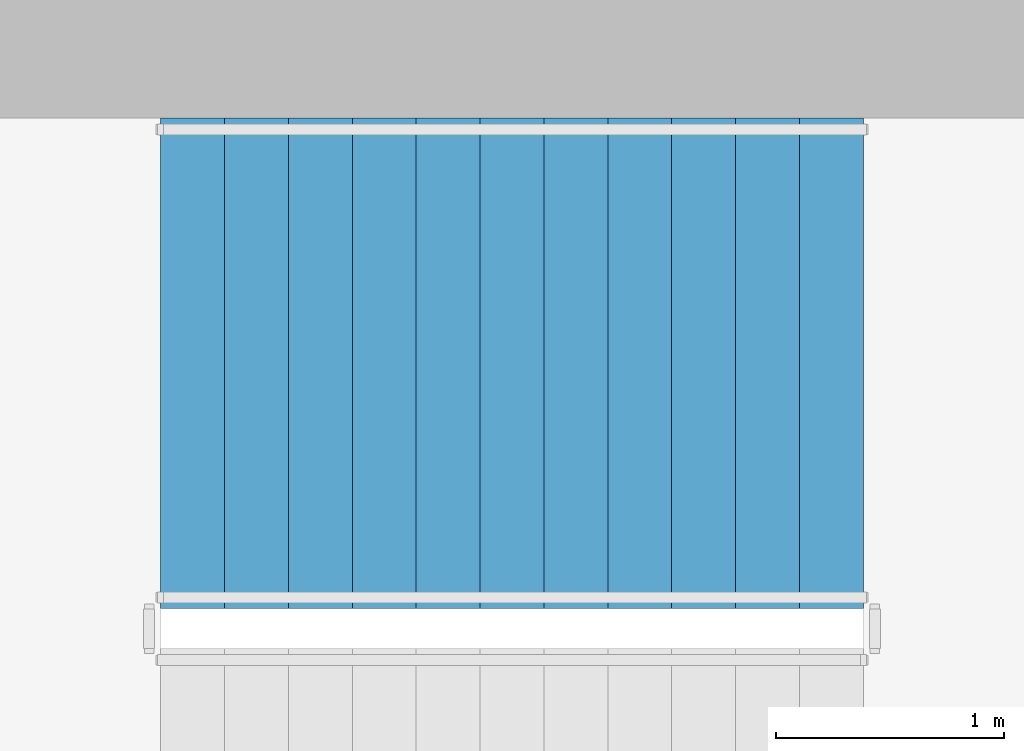
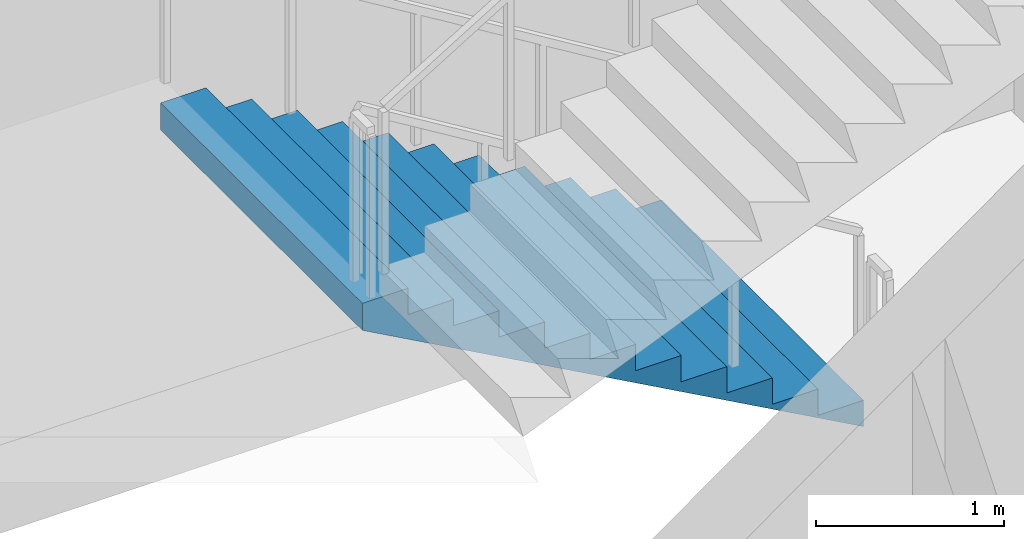
# One storey, part 10 of 15: 1 stair flight, 1 element without a shape of its own.
"""IFC4 building model written with IfcOpenShell, lengths in metres."""

from ifc_helpers import new_model, si_unit, direction, frame, origin, place, context, subcontext, project, spatial, triangles, material, type_object, element, aggregate, save


model = new_model("IFC4")

# Units and contexts
model_context = context("Model", 3, precision=1e-05, world=origin(), true_north=direction((0.0, 1.0)))
body_context = subcontext(model_context, "Body", "Model", "MODEL_VIEW")
ifc_project = project(units=[si_unit("LENGTHUNIT", "METRE"), si_unit("AREAUNIT", "SQUARE_METRE"), si_unit("VOLUMEUNIT", "CUBIC_METRE"), si_unit("PLANEANGLEUNIT", "RADIAN"), si_unit("MASSUNIT", "GRAM", prefix="KILO")], contexts=[model_context])

# Site, building, storey
site_placement = place(None, origin())
site = spatial("IfcSite", under=ifc_project, at=site_placement, CompositionType="ELEMENT")
building_placement = place(site_placement, origin())
building = spatial("IfcBuilding", under=site, at=building_placement, Name="Cypress Arch Tower", CompositionType="ELEMENT")
storey_placement = place(building_placement, frame((0.0, 0.0, 321.300048828125)))
storey = spatial("IfcBuildingStorey", under=building, at=storey_placement, Name="L73", CompositionType="ELEMENT", Elevation=321.300048828125)

# Stair, stair flight
ifc_material_1 = material(Name="Concrete C40/50", Category="concrete")
stair_type = type_object("IfcStairType", Name="Exit stair ES1708-215", PredefinedType="HALF_TURN_STAIR", material=ifc_material_1)
stair_placement = place(storey_placement, origin())
stair = element("IfcStair", 1, at=stair_placement, inside=storey, type_object=stair_type, Name="L73 Exit stair B", PredefinedType="HALF_TURN_STAIR")
ifc_material_2 = material(Name="Concrete C40/50", Category="concrete")
stair_flight_type = type_object("IfcStairFlightType", Name="Exit stair flight ES1708-215", PredefinedType="STRAIGHT", material=ifc_material_2)
stair_flight_placement = place(storey_placement, frame((-22.27490234375, 13.72509765625, 0.0), z_axis=(0.0, 0.0, 1.0), x_axis=(-1.0, 0.0, 0.0)))
stair_flight = element("IfcStairFlight", 2, at=stair_flight_placement, type_object=stair_flight_type, Name="B flight 1", NumberOfRisers=12, NumberOfTreads=11, PredefinedType="STRAIGHT", RiserHeight=0.170833333, TreadLength=0.28, context=body_context, shape_type="Tessellation", body=[
    triangles([(0.0, -1.074951171875, 0.0), (0.000244140625, -1.074951171875, 0.01904296875), (0.000244140625, -1.074951171875, 0.0380859375), (0.00048828125, -1.074951171875, 0.056884765625), (0.00048828125, -1.074951171875, 0.075927734375), (0.00048828125, -1.074951171875, 0.094970703125), (0.00048828125, -1.074951171875, 0.114013671875), (0.000244140625, -1.074951171875, 0.1328125), (0.000244140625, -1.074951171875, 0.15185546875), (0.0, -1.074951171875, 0.1708984375), (0.280029296875, -1.074951171875, 0.1708984375), (0.280029296875, -1.074951171875, 0.341552734375), (0.56005859375, -1.074951171875, 0.341552734375), (0.56005859375, -1.074951171875, 0.512451171875), (0.840087890625, -1.074951171875, 0.512451171875), (0.840087890625, -1.074951171875, 0.683349609375), (1.1201171875, -1.074951171875, 0.683349609375), (1.1201171875, -1.074951171875, 0.854248046875), (1.39990234375, -1.074951171875, 0.854248046875), (1.39990234375, -1.074951171875, 1.02490234375), (1.679931640625, -1.074951171875, 1.02490234375), (1.679931640625, -1.074951171875, 1.19580078125), (1.9599609375, -1.074951171875, 1.19580078125), (1.9599609375, -1.074951171875, 1.36669921875), (2.239990234375, -1.074951171875, 1.36669921875), (2.239990234375, -1.074951171875, 1.53759765625), (2.52001953125, -1.074951171875, 1.53759765625), (2.52001953125, -1.074951171875, 1.708251953125), (2.800048828125, -1.074951171875, 1.708251953125), (2.800048828125, -1.074951171875, 1.879150390625), (3.080078125, -1.074951171875, 1.879150390625), (3.079833984375, -1.074951171875, 1.859619140625), (3.079833984375, -1.074951171875, 1.840087890625), (3.07958984375, -1.074951171875, 1.820556640625), (3.07958984375, -1.074951171875, 1.801025390625), (3.07958984375, -1.074951171875, 1.78173828125), (3.07958984375, -1.074951171875, 1.76220703125), (3.079833984375, -1.074951171875, 1.74267578125), (3.079833984375, -1.074951171875, 1.72314453125), (3.080078125, -1.074951171875, 1.70361328125), (3.080078125, 1.074951171875, 1.70361328125), (3.079833984375, 1.074951171875, 1.72314453125), (3.079833984375, 1.074951171875, 1.74267578125), (3.07958984375, 1.074951171875, 1.76220703125), (3.07958984375, 1.074951171875, 1.78173828125), (3.07958984375, 1.074951171875, 1.801025390625), (3.07958984375, 1.074951171875, 1.820556640625), (3.079833984375, 1.074951171875, 1.840087890625), (3.079833984375, 1.074951171875, 1.859619140625), (3.080078125, 1.074951171875, 1.879150390625), (2.800048828125, 1.074951171875, 1.879150390625), (2.800048828125, 1.074951171875, 1.708251953125), (2.52001953125, 1.074951171875, 1.708251953125), (2.52001953125, 1.074951171875, 1.53759765625), (2.239990234375, 1.074951171875, 1.53759765625), (2.239990234375, 1.074951171875, 1.36669921875), (1.9599609375, 1.074951171875, 1.36669921875), (1.9599609375, 1.074951171875, 1.19580078125), (1.679931640625, 1.074951171875, 1.19580078125), (1.679931640625, 1.074951171875, 1.02490234375), (1.39990234375, 1.074951171875, 1.02490234375), (1.39990234375, 1.074951171875, 0.854248046875), (1.1201171875, 1.074951171875, 0.854248046875), (1.1201171875, 1.074951171875, 0.683349609375), (0.840087890625, 1.074951171875, 0.683349609375), (0.840087890625, 1.074951171875, 0.512451171875), (0.56005859375, 1.074951171875, 0.512451171875), (0.56005859375, 1.074951171875, 0.341552734375), (0.280029296875, 1.074951171875, 0.341552734375), (0.280029296875, 1.074951171875, 0.1708984375), (0.0, 1.074951171875, 0.1708984375), (0.000244140625, 1.074951171875, 0.15185546875), (0.000244140625, 1.074951171875, 0.1328125), (0.00048828125, 1.074951171875, 0.114013671875), (0.00048828125, 1.074951171875, 0.094970703125), (0.00048828125, 1.074951171875, 0.075927734375), (0.00048828125, 1.074951171875, 0.056884765625), (0.000244140625, 1.074951171875, 0.0380859375), (0.000244140625, 1.074951171875, 0.01904296875), (0.0, 1.074951171875, 0.0)], [[40, 39, 30], [39, 38, 30], [38, 37, 30], [37, 36, 30], [36, 35, 30], [35, 34, 30], [34, 33, 30], [33, 32, 30], [32, 31, 30], [19, 18, 17], [27, 26, 25], [25, 24, 23], [23, 22, 21], [17, 16, 15], [15, 14, 13], [10, 9, 11], [9, 8, 11], [8, 7, 11], [7, 6, 11], [6, 5, 11], [5, 4, 11], [4, 3, 11], [3, 2, 11], [2, 1, 11], [29, 28, 27], [21, 20, 19], [13, 12, 11], [40, 30, 29], [40, 29, 27], [40, 27, 25], [40, 25, 23], [40, 23, 21], [40, 21, 19], [40, 19, 17], [40, 17, 15], [40, 15, 13], [1, 40, 13], [13, 11, 1], [41, 51, 42], [42, 51, 43], [43, 51, 44], [44, 51, 45], [45, 51, 46], [46, 51, 47], [47, 51, 48], [48, 51, 49], [49, 51, 50], [62, 64, 63], [54, 56, 55], [56, 58, 57], [58, 60, 59], [64, 66, 65], [66, 68, 67], [71, 70, 72], [72, 70, 73], [73, 70, 74], [74, 70, 75], [75, 70, 76], [76, 70, 77], [77, 70, 78], [78, 70, 79], [79, 70, 80], [52, 54, 53], [60, 62, 61], [68, 70, 69], [41, 52, 51], [41, 54, 52], [41, 56, 54], [41, 58, 56], [41, 60, 58], [41, 62, 60], [41, 64, 62], [41, 66, 64], [41, 68, 66], [80, 68, 41], [68, 80, 70], [41, 42, 39], [41, 39, 40], [42, 43, 38], [42, 38, 39], [43, 44, 37], [43, 37, 38], [44, 45, 36], [44, 36, 37], [45, 46, 35], [45, 35, 36], [46, 47, 34], [46, 34, 35], [47, 48, 33], [47, 33, 34], [48, 49, 32], [48, 32, 33], [49, 50, 31], [49, 31, 32], [50, 51, 30], [50, 30, 31], [51, 52, 29], [51, 29, 30], [52, 53, 28], [52, 28, 29], [53, 54, 27], [53, 27, 28], [54, 55, 26], [54, 26, 27], [55, 56, 25], [55, 25, 26], [56, 57, 24], [56, 24, 25], [57, 58, 23], [57, 23, 24], [58, 59, 22], [58, 22, 23], [59, 60, 21], [59, 21, 22], [60, 61, 20], [60, 20, 21], [61, 62, 19], [61, 19, 20], [62, 63, 18], [62, 18, 19], [63, 64, 17], [63, 17, 18], [64, 65, 16], [64, 16, 17], [65, 66, 15], [65, 15, 16], [66, 67, 14], [66, 14, 15], [67, 68, 13], [67, 13, 14], [68, 69, 12], [68, 12, 13], [69, 70, 11], [69, 11, 12], [70, 71, 10], [70, 10, 11], [71, 72, 9], [71, 9, 10], [72, 73, 8], [72, 8, 9], [73, 74, 7], [73, 7, 8], [74, 75, 6], [74, 6, 7], [75, 76, 5], [75, 5, 6], [76, 77, 4], [76, 4, 5], [77, 78, 3], [77, 3, 4], [78, 79, 2], [78, 2, 3], [79, 80, 1], [79, 1, 2], [80, 41, 40], [80, 40, 1]], closed=True),
])
aggregate(stair, [stair_flight])

save(model, "model.ifc")
